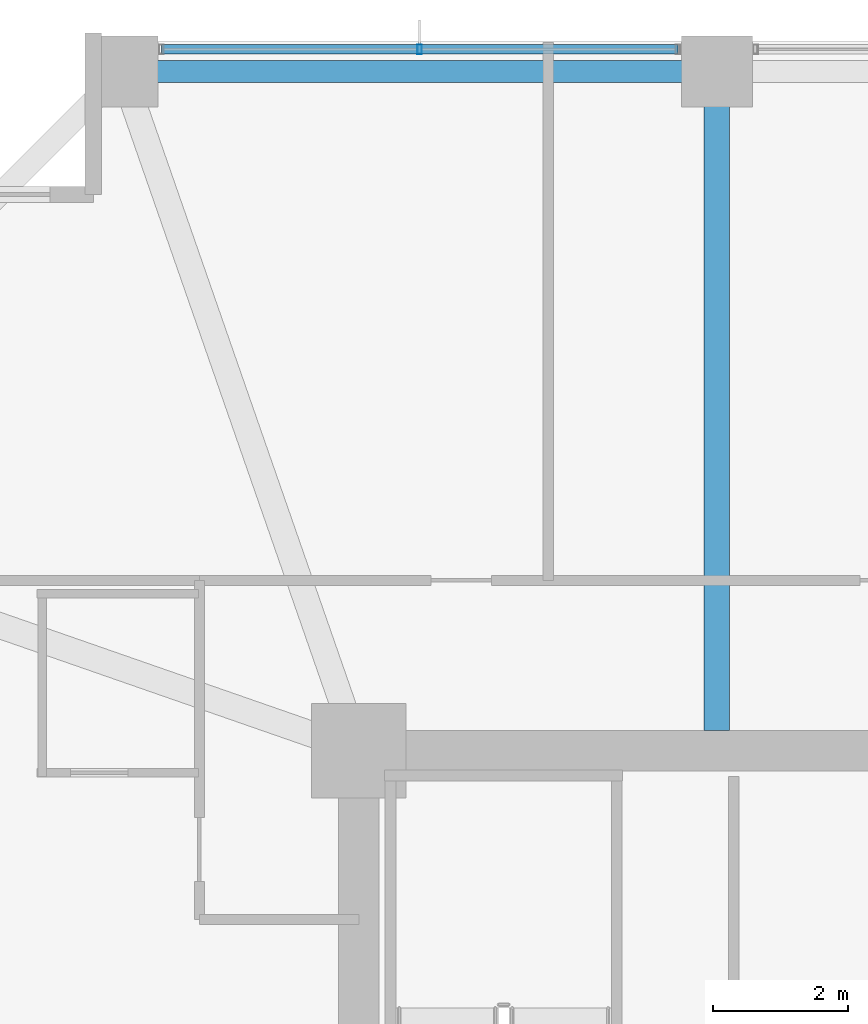
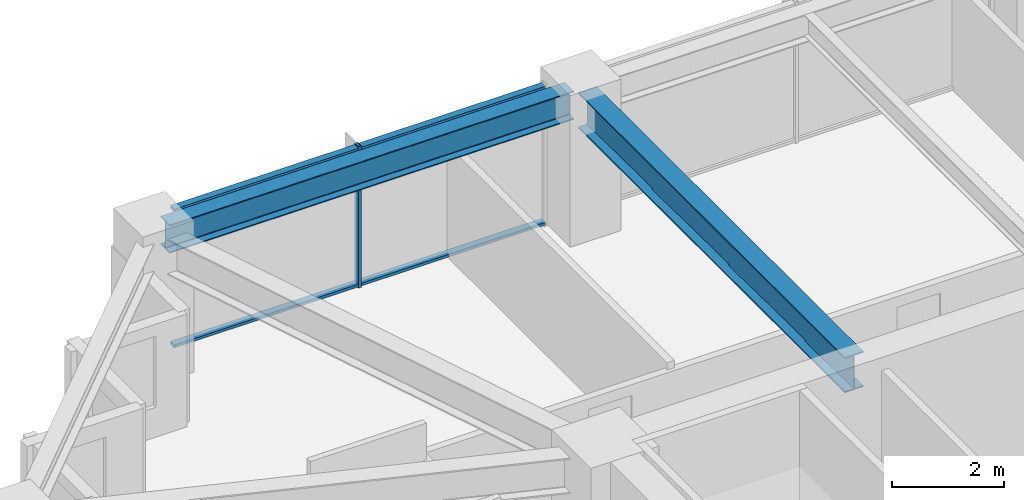
# One storey, part 18 of 38: 3 members, 2 beams, 1 element without a shape of its own.
"""IFC4 building model written with IfcOpenShell, lengths in metres."""

from ifc_helpers import new_model, si_unit, direction, frame, origin, origin_2d, place, context, subcontext, project, spatial, hollow_rectangle, i_section, extrude, material, material_profile, profile_set, type_object, element, aggregate, save


model = new_model("IFC4")

# Units and contexts
model_context = context("Model", 3, precision=1e-05, world=origin(), true_north=direction((0.0, 1.0)))
body_context = subcontext(model_context, "Body", "Model", "MODEL_VIEW")
ifc_project = project(units=[si_unit("LENGTHUNIT", "METRE"), si_unit("AREAUNIT", "SQUARE_METRE"), si_unit("VOLUMEUNIT", "CUBIC_METRE"), si_unit("PLANEANGLEUNIT", "RADIAN"), si_unit("MASSUNIT", "GRAM", prefix="KILO")], contexts=[model_context])

# Site, building, storey
site_placement = place(None, origin())
site = spatial("IfcSite", under=ifc_project, at=site_placement, CompositionType="ELEMENT")
building_placement = place(site_placement, origin())
building = spatial("IfcBuilding", under=site, at=building_placement, Name="Kolvaren Belvedere", CompositionType="ELEMENT")
storey_placement = place(building_placement, frame((0.0, 0.0, 101.89990234375)))
storey = spatial("IfcBuildingStorey", under=building, at=storey_placement, Name="L29", CompositionType="ELEMENT", Elevation=101.89990234375)

# Beams
ifc_material_1 = material(Name="Structural steel ASTM A992 Grade 50", Category="steel")
ifc_material_profile_1 = material_profile(ifc_material_1, i_section(OverallWidth=0.381103515625, OverallDepth=0.77294921875, WebThickness=0.0166015625, FlangeThickness=0.027099609375, FilletRadius=0.02392578125, at=origin_2d()), Name="W30X173")
ifc_profile_set_1 = profile_set([ifc_material_profile_1], Name="Structural steel ASTM A992 Grade 50")
beam_type_1 = type_object("IfcBeamType", Name="BM-GIRD-W30X173", PredefinedType="BEAM", material=ifc_profile_set_1)
beam_1_placement = place(storey_placement, frame((-4.60009765625, 10.199951171875, 2.693603515625), z_axis=(0.0, 1.0, 0.0), x_axis=(-1.0, 0.0, 0.0)))
element("IfcBeam", 1, at=beam_1_placement, inside=storey, type_object=beam_type_1, Name="L29 North Radial Girder M", PredefinedType="BEAM", context=body_context, shape_type="SweptSolid", body=[
    extrude(i_section(OverallWidth=0.381103515625, OverallDepth=0.77294921875, WebThickness=0.0166015625, FlangeThickness=0.027099609375, FilletRadius=0.02392578125, at=origin_2d()), origin(), (0.0, 0.0, 1.0), 9.513916015625),
])
ifc_material_2 = material(Name="Structural steel ASTM A992 Grade 50", Category="steel")
ifc_material_profile_2 = material_profile(ifc_material_2, i_section(OverallWidth=0.324951171875, OverallDepth=0.615966796875, WebThickness=0.013916015625, FlangeThickness=0.021484375, FilletRadius=0.02001953125, at=origin_2d()), Name="W24X117")
ifc_profile_set_2 = profile_set([ifc_material_profile_2], Name="Structural steel ASTM A992 Grade 50")
beam_type_2 = type_object("IfcBeamType", Name="BM-SPAN-W24X117", PredefinedType="SPANDREL", material=ifc_profile_set_2)
beam_2_placement = place(storey_placement, frame((-4.836181640625, 19.949951171875, 2.772216796875), z_axis=(-1.0, 0.0, 0.0), x_axis=(0.0, -1.0, 0.0)))
element("IfcBeam", 2, at=beam_2_placement, inside=storey, type_object=beam_type_2, Name="L29 Perimeter Spandrel N2-N1", PredefinedType="SPANDREL", context=body_context, shape_type="SweptSolid", body=[
    extrude(i_section(OverallWidth=0.324951171875, OverallDepth=0.615966796875, WebThickness=0.013916015625, FlangeThickness=0.021484375, FilletRadius=0.02001953125, at=origin_2d()), origin(), (0.0, 0.0, 1.0), 8.32763671875),
])

# Curtain wall, members
ifc_material_3 = material(Name="Anodised pale-metal aluminium AA 6063-T6", Category="aluminium")
curtain_wall_type = type_object("IfcCurtainWallType", Name="CW-Z2-MID", PredefinedType="NOTDEFINED", material=ifc_material_3)
curtain_wall_placement = place(storey_placement, origin())
curtain_wall = element("IfcCurtainWall", 3, at=curtain_wall_placement, inside=storey, type_object=curtain_wall_type, Name="L29 Unitised Curtain Wall FCW-L29-N-B1", PredefinedType="NOTDEFINED")
ifc_material_4 = material(Name="Anodised pale-metal aluminium AA 6063-T6", Category="aluminium")
ifc_material_profile_3 = material_profile(ifc_material_4, hollow_rectangle(XDim=0.06494140625, YDim=0.139892578125, WallThickness=0.00390625, at=origin_2d()), Name="ALU-MUL-140X65")
ifc_profile_set_3 = profile_set([ifc_material_profile_3], Name="Anodised pale-metal aluminium AA 6063-T6")
member_type_1 = type_object("IfcMemberType", Name="CW-MUL-140", PredefinedType="MULLION", material=ifc_profile_set_3)
member_1_placement = place(storey_placement, frame((-9.0, 20.280029296875, 0.0), z_axis=(0.0, 0.0, 1.0), x_axis=(1.0, 0.0, 0.0)))
member_1 = element("IfcMember", 4, at=member_1_placement, type_object=member_type_1, Name="FCW-L29-N-B1 Unitised Mullion 2", PredefinedType="MULLION", context=body_context, shape_type="SweptSolid", body=[
    extrude(hollow_rectangle(XDim=0.06494140625, YDim=0.139892578125, WallThickness=0.00390625, at=origin_2d()), origin(), (0.0, 0.0, 1.0), 3.080078125),
])
ifc_material_5 = material(Name="Anodised pale-metal aluminium AA 6063-T6", Category="aluminium")
ifc_material_profile_4 = material_profile(ifc_material_5, hollow_rectangle(XDim=0.06005859375, YDim=0.139892578125, WallThickness=0.00390625, at=origin_2d()), Name="ALU-TRN-140X60")
ifc_profile_set_4 = profile_set([ifc_material_profile_4], Name="Anodised pale-metal aluminium AA 6063-T6")
member_type_2 = type_object("IfcMemberType", Name="CW-TRN-140", PredefinedType="USERDEFINED", material=ifc_profile_set_4)
member_2_placement = place(storey_placement, frame((-12.822509765625, 20.280029296875, 0.06005859375), z_axis=(1.0, 0.0, 0.0), x_axis=(0.0, 0.0, 1.0)))
member_2 = element("IfcMember", 5, at=member_2_placement, type_object=member_type_2, Name="FCW-L29-N-B1 Sill Transom", ObjectType="TRANSOM", PredefinedType="USERDEFINED", context=body_context, shape_type="SweptSolid", body=[
    extrude(hollow_rectangle(XDim=0.06005859375, YDim=0.139892578125, WallThickness=0.00390625, at=origin_2d()), origin(), (0.0, 0.0, 1.0), 7.64501953125),
])
member_3_placement = place(storey_placement, frame((-12.822509765625, 20.280029296875, 3.02001953125), z_axis=(1.0, 0.0, 0.0), x_axis=(0.0, 0.0, 1.0)))
member_3 = element("IfcMember", 6, at=member_3_placement, type_object=member_type_2, Name="FCW-L29-N-B1 Head Transom", ObjectType="TRANSOM", PredefinedType="USERDEFINED", context=body_context, shape_type="SweptSolid", body=[
    extrude(hollow_rectangle(XDim=0.06005859375, YDim=0.139892578125, WallThickness=0.00390625, at=origin_2d()), origin(), (0.0, 0.0, 1.0), 7.64501953125),
])
aggregate(curtain_wall, [member_1, member_2, member_3])

save(model, "model.ifc")
